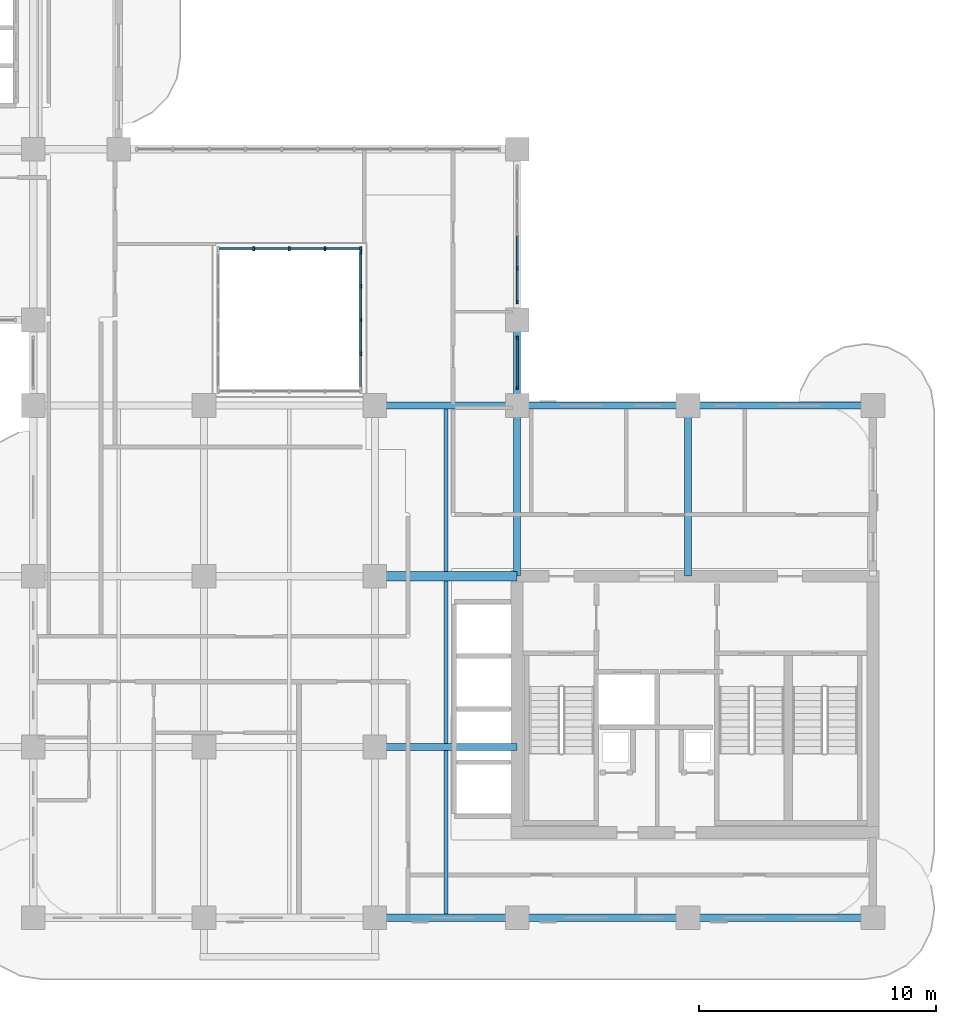
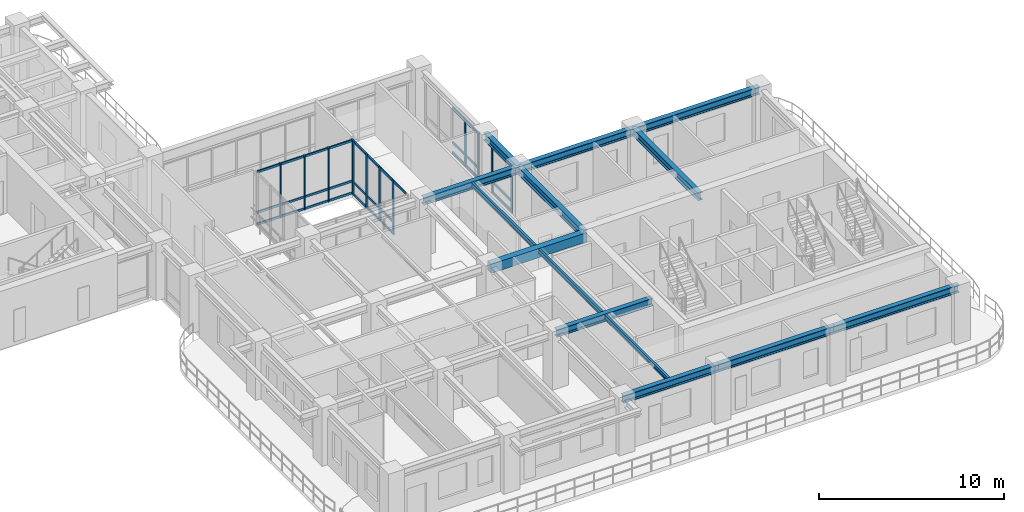
# One storey, part 3 of 20: 43 members, 14 beams, 4 elements without a shape of their own.
"""IFC4 building model written with IfcOpenShell, lengths in metres."""

from ifc_helpers import new_model, si_unit, derived_unit, direction, frame, origin, origin_2d, place, context, subcontext, project, spatial, rectangle, i_section, extrude, source, transform, mapped, material, layer, layer_set, material_profile, profile_set, type_object, type_shapes, element, aggregate, save


model = new_model("IFC4")

# Units and contexts
model_context = context("Model", 3, precision=1e-05, world=origin(), true_north=direction((0.0, 1.0)))
body_context = subcontext(model_context, "Body", "Model", "MODEL_VIEW")
ifc_project = project(units=[si_unit("LENGTHUNIT", "METRE"), si_unit("AREAUNIT", "SQUARE_METRE"), si_unit("VOLUMEUNIT", "CUBIC_METRE"), si_unit("PLANEANGLEUNIT", "RADIAN"), si_unit("MASSUNIT", "GRAM", prefix="KILO"), si_unit("THERMODYNAMICTEMPERATUREUNIT", "KELVIN"), si_unit("POWERUNIT", "WATT"), derived_unit("THERMALTRANSMITTANCEUNIT", [(si_unit("POWERUNIT", "WATT"), 1), (si_unit("AREAUNIT", "SQUARE_METRE"), -1), (si_unit("THERMODYNAMICTEMPERATUREUNIT", "KELVIN"), -1)])], contexts=[model_context])

# Site, building, storey
site_placement = place(None, origin())
site = spatial("IfcSite", under=ifc_project, at=site_placement, CompositionType="ELEMENT")
building_placement = place(site_placement, origin())
building = spatial("IfcBuilding", under=site, at=building_placement, Name="Zahravan Archway Hotel and Residences", CompositionType="ELEMENT")
storey_placement = place(building_placement, frame((0.0, 0.0, 154.14990234375)))
storey = spatial("IfcBuildingStorey", under=building, at=storey_placement, Name="L38", CompositionType="ELEMENT", Elevation=154.14990234375)

# Beams
ifc_material_1 = material(Name="Concrete C60/75", Category="concrete")
ifc_material_profile_1 = material_profile(ifc_material_1, rectangle(XDim=0.39990234375, YDim=0.60009765625, at=origin_2d()), Name="RC-LNT-400x600", Category="concrete")
ifc_profile_set_1 = profile_set([ifc_material_profile_1], Name="Concrete C60/75")
beam_type_1 = type_object("IfcBeamType", Name="LNT-RC-400x600", PredefinedType="LINTEL", material=ifc_profile_set_1)
shared_shape_1 = source(origin(), body_context, "Body", "SweptSolid", [
    extrude(rectangle(XDim=0.39990234375, YDim=0.60009765625, at=origin_2d()), origin(), (0.0, 0.0, 1.0), 6.0),
])
type_shapes(beam_type_1, [shared_shape_1])
beam_1_placement = place(storey_placement, frame((28.800048828125, 14.39990234375, 3.300048828125), z_axis=(1.0, 0.0, 0.0), x_axis=(0.0, 1.0, 0.0)))
element("IfcBeam", 1, at=beam_1_placement, inside=storey, type_object=beam_type_1, Name="L38 Core A Coupling Lintel Beam", PredefinedType="LINTEL", context=body_context, shape_type="MappedRepresentation", body=[
    mapped(shared_shape_1, transform((0.0, 0.0, 0.0), scale=1.0)),
])
ifc_material_2 = material(Name="Structural Steel S355JR", Category="steel")
ifc_material_profile_2 = material_profile(ifc_material_2, i_section(OverallWidth=0.300048828125, OverallDepth=0.5, WebThickness=0.014404296875, FlangeThickness=0.028076171875, FilletRadius=0.027099609375, at=origin_2d()), Name="HEB 500", Category="steel")
ifc_profile_set_2 = profile_set([ifc_material_profile_2], Name="Structural Steel S355JR")
beam_type_2 = type_object("IfcBeamType", Name="BM-PRI-HEB500", PredefinedType="BEAM", material=ifc_profile_set_2)
shared_shape_2 = source(origin(), body_context, "Body", "SweptSolid", [
    extrude(i_section(OverallWidth=0.300048828125, OverallDepth=0.5, WebThickness=0.014404296875, FlangeThickness=0.028076171875, FilletRadius=0.027099609375, at=origin_2d()), origin(), (0.0, 0.0, 1.0), 7.2001953125),
])
type_shapes(beam_type_2, [shared_shape_2])
for number, where, z_axis, x_axis, name in (
    (2, (34.800048828125, 14.39990234375, 3.35009765625), (0.0, 1.0, 0.0), (-1.0, 0.0, 0.0), "L38 Primary Girder NS-41"),
    (3, (42.0, 14.39990234375, 3.35009765625), (0.0, 1.0, 0.0), (-1.0, 0.0, 0.0), "L38 Primary Girder NS-44"),
):
    element("IfcBeam", number, at=place(storey_placement, frame(where, z_axis=z_axis, x_axis=x_axis)), inside=storey, type_object=beam_type_2, Name=name, PredefinedType="BEAM", context=body_context, shape_type="MappedRepresentation", body=[
        mapped(shared_shape_2, transform((0.0, 0.0, 0.0), scale=1.0)),
    ])
shared_shape_3 = source(origin(), body_context, "Body", "SweptSolid", [
    extrude(i_section(OverallWidth=0.300048828125, OverallDepth=0.5, WebThickness=0.014404296875, FlangeThickness=0.028076171875, FilletRadius=0.027099609375, at=origin_2d()), origin(), (0.0, 0.0, 1.0), 7.199951171875),
])
for number, where, z_axis, x_axis, name in (
    (4, (34.800048828125, 0.0, 3.35009765625), (1.0, 0.0, 0.0), (0.0, 1.0, 0.0), "L38 Primary Girder EW-04"),
    (5, (34.800048828125, 21.60009765625, 3.35009765625), (1.0, 0.0, 0.0), (0.0, 1.0, 0.0), "L38 Primary Girder EW-14"),
):
    element("IfcBeam", number, at=place(storey_placement, frame(where, z_axis=z_axis, x_axis=x_axis)), inside=storey, type_object=beam_type_2, Name=name, PredefinedType="BEAM", context=body_context, shape_type="MappedRepresentation", body=[
        mapped(shared_shape_3, transform((0.0, 0.0, 0.0), scale=1.0)),
    ])
shared_shape_4 = source(origin(), body_context, "Body", "SweptSolid", [
    extrude(i_section(OverallWidth=0.300048828125, OverallDepth=0.5, WebThickness=0.014404296875, FlangeThickness=0.028076171875, FilletRadius=0.027099609375, at=origin_2d()), origin(), (0.0, 0.0, 1.0), 6.0),
])
for number, where, z_axis, x_axis, name in (
    (6, (28.800048828125, 0.0, 3.35009765625), (1.0, 0.0, 0.0), (0.0, 1.0, 0.0), "L38 Primary Girder EW-03"),
    (7, (28.800048828125, 7.199951171875, 3.35009765625), (1.0, 0.0, 0.0), (0.0, 1.0, 0.0), "L38 Primary Girder EW-08"),
    (8, (28.800048828125, 21.60009765625, 3.35009765625), (1.0, 0.0, 0.0), (0.0, 1.0, 0.0), "L38 Primary Girder EW-13"),
):
    element("IfcBeam", number, at=place(storey_placement, frame(where, z_axis=z_axis, x_axis=x_axis)), inside=storey, type_object=beam_type_2, Name=name, PredefinedType="BEAM", context=body_context, shape_type="MappedRepresentation", body=[
        mapped(shared_shape_4, transform((0.0, 0.0, 0.0), scale=1.0)),
    ])
shared_shape_5 = source(origin(), body_context, "Body", "SweptSolid", [
    extrude(i_section(OverallWidth=0.300048828125, OverallDepth=0.5, WebThickness=0.014404296875, FlangeThickness=0.028076171875, FilletRadius=0.027099609375, at=origin_2d()), origin(), (0.0, 0.0, 1.0), 7.800048828125),
])
for number, where, z_axis, x_axis, name in (
    (9, (42.0, 0.0, 3.35009765625), (1.0, 0.0, 0.0), (0.0, 1.0, 0.0), "L38 Primary Girder EW-05"),
    (10, (42.0, 21.60009765625, 3.35009765625), (1.0, 0.0, 0.0), (0.0, 1.0, 0.0), "L38 Primary Girder EW-15"),
):
    element("IfcBeam", number, at=place(storey_placement, frame(where, z_axis=z_axis, x_axis=x_axis)), inside=storey, type_object=beam_type_2, Name=name, PredefinedType="BEAM", context=body_context, shape_type="MappedRepresentation", body=[
        mapped(shared_shape_5, transform((0.0, 0.0, 0.0), scale=1.0)),
    ])
shared_shape_6 = source(origin(), body_context, "Body", "SweptSolid", [
    extrude(i_section(OverallWidth=0.300048828125, OverallDepth=0.5, WebThickness=0.014404296875, FlangeThickness=0.028076171875, FilletRadius=0.027099609375, at=origin_2d()), origin(), (0.0, 0.0, 1.0), 3.599853515625),
])
beam_2_placement = place(storey_placement, frame((34.800048828125, 21.60009765625, 3.35009765625), z_axis=(0.0, 1.0, 0.0), x_axis=(-1.0, 0.0, 0.0)))
element("IfcBeam", 11, at=beam_2_placement, inside=storey, type_object=beam_type_2, Name="L38 Primary Girder NS-42", PredefinedType="BEAM", context=body_context, shape_type="MappedRepresentation", body=[
    mapped(shared_shape_6, transform((0.0, 0.0, 0.0), scale=1.0)),
])
ifc_material_profile_3 = material_profile(ifc_material_2, i_section(OverallWidth=0.14990234375, OverallDepth=0.300048828125, WebThickness=0.007080078125, FlangeThickness=0.0107421875, FilletRadius=0.014892578125, at=origin_2d()), Name="IPE 300", Category="steel")
ifc_profile_set_3 = profile_set([ifc_material_profile_3], Name="Structural Steel S355JR")
beam_type_3 = type_object("IfcBeamType", Name="BM-JST-IPE300", PredefinedType="JOIST", material=ifc_profile_set_3)
shared_shape_7 = source(origin(), body_context, "Body", "SweptSolid", [
    extrude(i_section(OverallWidth=0.14990234375, OverallDepth=0.300048828125, WebThickness=0.007080078125, FlangeThickness=0.0107421875, FilletRadius=0.014892578125, at=origin_2d()), origin(), (0.0, 0.0, 1.0), 6.904052734375),
])
type_shapes(beam_type_3, [shared_shape_7])
beam_3_placement = place(storey_placement, frame((31.800048828125, 0.14794921875, 3.4501953125), z_axis=(0.0, 1.0, 0.0), x_axis=(-1.0, 0.0, 0.0)))
element("IfcBeam", 12, at=beam_3_placement, inside=storey, type_object=beam_type_3, Name="L38 Composite Floor Joist 03", PredefinedType="JOIST", context=body_context, shape_type="MappedRepresentation", body=[
    mapped(shared_shape_7, transform((0.0, 0.0, 0.0), scale=1.0)),
])
shared_shape_8 = source(origin(), body_context, "Body", "SweptSolid", [
    extrude(i_section(OverallWidth=0.14990234375, OverallDepth=0.300048828125, WebThickness=0.007080078125, FlangeThickness=0.0107421875, FilletRadius=0.014892578125, at=origin_2d()), origin(), (0.0, 0.0, 1.0), 6.85400390625),
])
for number, where, z_axis, x_axis, name in (
    (13, (31.800048828125, 7.347900390625, 3.4501953125), (0.0, 1.0, 0.0), (-1.0, 0.0, 0.0), "L38 Composite Floor Joist 06"),
    (14, (31.800048828125, 14.597900390625, 3.4501953125), (0.0, 1.0, 0.0), (-1.0, 0.0, 0.0), "L38 Composite Floor Joist 07"),
):
    element("IfcBeam", number, at=place(storey_placement, frame(where, z_axis=z_axis, x_axis=x_axis)), inside=storey, type_object=beam_type_3, Name=name, PredefinedType="JOIST", context=body_context, shape_type="MappedRepresentation", body=[
        mapped(shared_shape_8, transform((0.0, 0.0, 0.0), scale=1.0)),
    ])

# Curtain wall, members
ifc_material_3 = material(Name="Bronze-Anodized Unitised Aluminium & Low-E Glass", Category="aluminium")
ifc_layer = layer(ifc_material_3, 0.179931640625, Name="Bronze-Anodized Unitised Aluminium & Low-E Glass", Category="aluminium")
ifc_layer_set = layer_set([ifc_layer], Name="Bronze-Anodized Unitised Aluminium & Low-E Glass")
curtain_wall_type = type_object("IfcCurtainWallType", Name="CW-ATR-GLAZ", PredefinedType="NOTDEFINED", material=ifc_layer_set)
curtain_wall_1_placement = place(storey_placement, origin())
curtain_wall_1 = element("IfcCurtainWall", 15, at=curtain_wall_1_placement, inside=storey, type_object=curtain_wall_type, Name="L38 Curtain Wall CW-L38-HNG-E-2", PredefinedType="NOTDEFINED")
ifc_material_4 = material(Name="Bronze-Anodized Extruded Aluminium", Category="aluminium")
ifc_material_profile_4 = material_profile(ifc_material_4, rectangle(XDim=0.080078125, YDim=0.139892578125, at=origin_2d()), Name="TRN 80x140", Category="aluminium")
ifc_profile_set_4 = profile_set([ifc_material_profile_4], Name="Bronze-Anodized Extruded Aluminium")
member_type_1 = type_object("IfcMemberType", Name="CWM-TRN-140", PredefinedType="USERDEFINED", material=ifc_profile_set_4)
shared_shape_9 = source(origin(), body_context, "Body", "SweptSolid", [
    extrude(rectangle(XDim=0.080078125, YDim=0.139892578125, at=origin_2d()), origin(), (0.0, 0.0, 1.0), 1.340087890625),
])
member_1_placement = place(storey_placement, frame((34.800048828125, 26.0, 0.070068359375), z_axis=(0.0, 1.0, 0.0), x_axis=(-1.0, 0.0, 0.0)))
member_1 = element("IfcMember", 16, at=member_1_placement, type_object=member_type_1, Name="CW-L38-HNG-E-2 Transom 0-1", ObjectType="TRANSOM", PredefinedType="USERDEFINED", context=body_context, shape_type="MappedRepresentation", body=[
    mapped(shared_shape_9, transform((0.0, 0.0, 0.0), scale=1.0)),
])
member_2_placement = place(storey_placement, frame((34.800048828125, 26.0, 0.740478515625), z_axis=(0.0, 1.0, 0.0), x_axis=(-1.0, 0.0, 0.0)))
member_2 = element("IfcMember", 17, at=member_2_placement, type_object=member_type_1, Name="CW-L38-HNG-E-2 Transom 0-2", ObjectType="TRANSOM", PredefinedType="USERDEFINED", context=body_context, shape_type="MappedRepresentation", body=[
    mapped(shared_shape_9, transform((0.0, 0.0, 0.0), scale=1.0)),
])
member_3_placement = place(storey_placement, frame((34.800048828125, 26.0, 3.01513671875), z_axis=(0.0, 1.0, 0.0), x_axis=(-1.0, 0.0, 0.0)))
member_3 = element("IfcMember", 18, at=member_3_placement, type_object=member_type_1, Name="CW-L38-HNG-E-2 Transom 0-3", ObjectType="TRANSOM", PredefinedType="USERDEFINED", context=body_context, shape_type="MappedRepresentation", body=[
    mapped(shared_shape_9, transform((0.0, 0.0, 0.0), scale=1.0)),
])
member_4_placement = place(storey_placement, frame((34.800048828125, 27.419921875, 0.070068359375), z_axis=(0.0, 1.0, 0.0), x_axis=(-1.0, 0.0, 0.0)))
member_4 = element("IfcMember", 19, at=member_4_placement, type_object=member_type_1, Name="CW-L38-HNG-E-2 Transom 1-1", ObjectType="TRANSOM", PredefinedType="USERDEFINED", context=body_context, shape_type="MappedRepresentation", body=[
    mapped(shared_shape_9, transform((0.0, 0.0, 0.0), scale=1.0)),
])
member_5_placement = place(storey_placement, frame((34.800048828125, 27.419921875, 0.740478515625), z_axis=(0.0, 1.0, 0.0), x_axis=(-1.0, 0.0, 0.0)))
member_5 = element("IfcMember", 20, at=member_5_placement, type_object=member_type_1, Name="CW-L38-HNG-E-2 Transom 1-2", ObjectType="TRANSOM", PredefinedType="USERDEFINED", context=body_context, shape_type="MappedRepresentation", body=[
    mapped(shared_shape_9, transform((0.0, 0.0, 0.0), scale=1.0)),
])
member_6_placement = place(storey_placement, frame((34.800048828125, 27.419921875, 3.01513671875), z_axis=(0.0, 1.0, 0.0), x_axis=(-1.0, 0.0, 0.0)))
member_6 = element("IfcMember", 21, at=member_6_placement, type_object=member_type_1, Name="CW-L38-HNG-E-2 Transom 1-3", ObjectType="TRANSOM", PredefinedType="USERDEFINED", context=body_context, shape_type="MappedRepresentation", body=[
    mapped(shared_shape_9, transform((0.0, 0.0, 0.0), scale=1.0)),
])

curtain_wall_2_placement = place(storey_placement, origin())
curtain_wall_2 = element("IfcCurtainWall", 22, at=curtain_wall_2_placement, inside=storey, type_object=curtain_wall_type, Name="L38 Curtain Wall CW-L38-HNG-E-1", PredefinedType="NOTDEFINED")
shared_shape_10 = source(origin(), body_context, "Body", "SweptSolid", [
    extrude(rectangle(XDim=0.080078125, YDim=0.139892578125, at=origin_2d()), origin(), (0.0, 0.0, 1.0), 2.0),
])
member_7_placement = place(storey_placement, frame((34.800048828125, 22.39990234375, 0.070068359375), z_axis=(0.0, 1.0, 0.0), x_axis=(-1.0, 0.0, 0.0)))
member_7 = element("IfcMember", 23, at=member_7_placement, type_object=member_type_1, Name="CW-L38-HNG-E-1 Transom 0-1", ObjectType="TRANSOM", PredefinedType="USERDEFINED", context=body_context, shape_type="MappedRepresentation", body=[
    mapped(shared_shape_10, transform((0.0, 0.0, 0.0), scale=1.0)),
])
member_8_placement = place(storey_placement, frame((34.800048828125, 22.39990234375, 0.740478515625), z_axis=(0.0, 1.0, 0.0), x_axis=(-1.0, 0.0, 0.0)))
member_8 = element("IfcMember", 24, at=member_8_placement, type_object=member_type_1, Name="CW-L38-HNG-E-1 Transom 0-2", ObjectType="TRANSOM", PredefinedType="USERDEFINED", context=body_context, shape_type="MappedRepresentation", body=[
    mapped(shared_shape_10, transform((0.0, 0.0, 0.0), scale=1.0)),
])
member_9_placement = place(storey_placement, frame((34.800048828125, 22.39990234375, 3.01513671875), z_axis=(0.0, 1.0, 0.0), x_axis=(-1.0, 0.0, 0.0)))
member_9 = element("IfcMember", 25, at=member_9_placement, type_object=member_type_1, Name="CW-L38-HNG-E-1 Transom 0-3", ObjectType="TRANSOM", PredefinedType="USERDEFINED", context=body_context, shape_type="MappedRepresentation", body=[
    mapped(shared_shape_10, transform((0.0, 0.0, 0.0), scale=1.0)),
])

curtain_wall_3_placement = place(storey_placement, origin())
curtain_wall_3 = element("IfcCurtainWall", 26, at=curtain_wall_3_placement, inside=storey, type_object=curtain_wall_type, Name="L38 Curtain Wall CW-ATR-L38-N-1", PredefinedType="NOTDEFINED")
shared_shape_11 = source(origin(), body_context, "Body", "SweptSolid", [
    extrude(rectangle(XDim=0.080078125, YDim=0.139892578125, at=origin_2d()), origin(), (0.0, 0.0, 1.0), 1.419921875),
])
member_10_placement = place(storey_placement, frame((22.239990234375, 28.199951171875, 0.070068359375), z_axis=(1.0, 0.0, 0.0), x_axis=(0.0, 1.0, 0.0)))
member_10 = element("IfcMember", 27, at=member_10_placement, type_object=member_type_1, Name="CW-ATR-L38-N-1 Transom 0-1", ObjectType="TRANSOM", PredefinedType="USERDEFINED", context=body_context, shape_type="MappedRepresentation", body=[
    mapped(shared_shape_11, transform((0.0, 0.0, 0.0), scale=1.0)),
])
member_11_placement = place(storey_placement, frame((22.239990234375, 28.199951171875, 0.85009765625), z_axis=(1.0, 0.0, 0.0), x_axis=(0.0, 1.0, 0.0)))
member_11 = element("IfcMember", 28, at=member_11_placement, type_object=member_type_1, Name="CW-ATR-L38-N-1 Transom 0-2", ObjectType="TRANSOM", PredefinedType="USERDEFINED", context=body_context, shape_type="MappedRepresentation", body=[
    mapped(shared_shape_11, transform((0.0, 0.0, 0.0), scale=1.0)),
])
member_12_placement = place(storey_placement, frame((22.239990234375, 28.199951171875, 3.530029296875), z_axis=(1.0, 0.0, 0.0), x_axis=(0.0, 1.0, 0.0)))
member_12 = element("IfcMember", 29, at=member_12_placement, type_object=member_type_1, Name="CW-ATR-L38-N-1 Transom 0-3", ObjectType="TRANSOM", PredefinedType="USERDEFINED", context=body_context, shape_type="MappedRepresentation", body=[
    mapped(shared_shape_11, transform((0.0, 0.0, 0.0), scale=1.0)),
])
member_13_placement = place(storey_placement, frame((23.739990234375, 28.199951171875, 0.070068359375), z_axis=(1.0, 0.0, 0.0), x_axis=(0.0, 1.0, 0.0)))
member_13 = element("IfcMember", 30, at=member_13_placement, type_object=member_type_1, Name="CW-ATR-L38-N-1 Transom 1-1", ObjectType="TRANSOM", PredefinedType="USERDEFINED", context=body_context, shape_type="MappedRepresentation", body=[
    mapped(shared_shape_11, transform((0.0, 0.0, 0.0), scale=1.0)),
])
member_14_placement = place(storey_placement, frame((23.739990234375, 28.199951171875, 0.85009765625), z_axis=(1.0, 0.0, 0.0), x_axis=(0.0, 1.0, 0.0)))
member_14 = element("IfcMember", 31, at=member_14_placement, type_object=member_type_1, Name="CW-ATR-L38-N-1 Transom 1-2", ObjectType="TRANSOM", PredefinedType="USERDEFINED", context=body_context, shape_type="MappedRepresentation", body=[
    mapped(shared_shape_11, transform((0.0, 0.0, 0.0), scale=1.0)),
])
member_15_placement = place(storey_placement, frame((23.739990234375, 28.199951171875, 3.530029296875), z_axis=(1.0, 0.0, 0.0), x_axis=(0.0, 1.0, 0.0)))
member_15 = element("IfcMember", 32, at=member_15_placement, type_object=member_type_1, Name="CW-ATR-L38-N-1 Transom 1-3", ObjectType="TRANSOM", PredefinedType="USERDEFINED", context=body_context, shape_type="MappedRepresentation", body=[
    mapped(shared_shape_11, transform((0.0, 0.0, 0.0), scale=1.0)),
])
member_16_placement = place(storey_placement, frame((25.239990234375, 28.199951171875, 0.070068359375), z_axis=(1.0, 0.0, 0.0), x_axis=(0.0, 1.0, 0.0)))
member_16 = element("IfcMember", 33, at=member_16_placement, type_object=member_type_1, Name="CW-ATR-L38-N-1 Transom 2-1", ObjectType="TRANSOM", PredefinedType="USERDEFINED", context=body_context, shape_type="MappedRepresentation", body=[
    mapped(shared_shape_11, transform((0.0, 0.0, 0.0), scale=1.0)),
])
member_17_placement = place(storey_placement, frame((25.239990234375, 28.199951171875, 0.85009765625), z_axis=(1.0, 0.0, 0.0), x_axis=(0.0, 1.0, 0.0)))
member_17 = element("IfcMember", 34, at=member_17_placement, type_object=member_type_1, Name="CW-ATR-L38-N-1 Transom 2-2", ObjectType="TRANSOM", PredefinedType="USERDEFINED", context=body_context, shape_type="MappedRepresentation", body=[
    mapped(shared_shape_11, transform((0.0, 0.0, 0.0), scale=1.0)),
])
member_18_placement = place(storey_placement, frame((25.239990234375, 28.199951171875, 3.530029296875), z_axis=(1.0, 0.0, 0.0), x_axis=(0.0, 1.0, 0.0)))
member_18 = element("IfcMember", 35, at=member_18_placement, type_object=member_type_1, Name="CW-ATR-L38-N-1 Transom 2-3", ObjectType="TRANSOM", PredefinedType="USERDEFINED", context=body_context, shape_type="MappedRepresentation", body=[
    mapped(shared_shape_11, transform((0.0, 0.0, 0.0), scale=1.0)),
])
member_19_placement = place(storey_placement, frame((26.739990234375, 28.199951171875, 0.070068359375), z_axis=(1.0, 0.0, 0.0), x_axis=(0.0, 1.0, 0.0)))
member_19 = element("IfcMember", 36, at=member_19_placement, type_object=member_type_1, Name="CW-ATR-L38-N-1 Transom 3-1", ObjectType="TRANSOM", PredefinedType="USERDEFINED", context=body_context, shape_type="MappedRepresentation", body=[
    mapped(shared_shape_11, transform((0.0, 0.0, 0.0), scale=1.0)),
])
member_20_placement = place(storey_placement, frame((26.739990234375, 28.199951171875, 0.85009765625), z_axis=(1.0, 0.0, 0.0), x_axis=(0.0, 1.0, 0.0)))
member_20 = element("IfcMember", 37, at=member_20_placement, type_object=member_type_1, Name="CW-ATR-L38-N-1 Transom 3-2", ObjectType="TRANSOM", PredefinedType="USERDEFINED", context=body_context, shape_type="MappedRepresentation", body=[
    mapped(shared_shape_11, transform((0.0, 0.0, 0.0), scale=1.0)),
])
member_21_placement = place(storey_placement, frame((26.739990234375, 28.199951171875, 3.530029296875), z_axis=(1.0, 0.0, 0.0), x_axis=(0.0, 1.0, 0.0)))
member_21 = element("IfcMember", 38, at=member_21_placement, type_object=member_type_1, Name="CW-ATR-L38-N-1 Transom 3-3", ObjectType="TRANSOM", PredefinedType="USERDEFINED", context=body_context, shape_type="MappedRepresentation", body=[
    mapped(shared_shape_11, transform((0.0, 0.0, 0.0), scale=1.0)),
])

curtain_wall_4_placement = place(storey_placement, origin())
curtain_wall_4 = element("IfcCurtainWall", 39, at=curtain_wall_4_placement, inside=storey, type_object=curtain_wall_type, Name="L38 Curtain Wall CW-ATR-L38-E-1", PredefinedType="NOTDEFINED")
shared_shape_12 = source(origin(), body_context, "Body", "SweptSolid", [
    extrude(rectangle(XDim=0.080078125, YDim=0.139892578125, at=origin_2d()), origin(), (0.0, 0.0, 1.0), 1.34521484375),
])
member_22_placement = place(storey_placement, frame((28.199951171875, 22.389892578125, 3.530029296875), z_axis=(0.0, 1.0, 0.0), x_axis=(-1.0, 0.0, 0.0)))
member_22 = element("IfcMember", 40, at=member_22_placement, type_object=member_type_1, Name="CW-ATR-L38-E-1 Transom 0-3", ObjectType="TRANSOM", PredefinedType="USERDEFINED", context=body_context, shape_type="MappedRepresentation", body=[
    mapped(shared_shape_12, transform((0.0, 0.0, 0.0), scale=1.0)),
])
shared_shape_13 = source(origin(), body_context, "Body", "SweptSolid", [
    extrude(rectangle(XDim=0.080078125, YDim=0.139892578125, at=origin_2d()), origin(), (0.0, 0.0, 1.0), 1.344970703125),
])
member_23_placement = place(storey_placement, frame((28.199951171875, 23.81494140625, 0.070068359375), z_axis=(0.0, 1.0, 0.0), x_axis=(-1.0, 0.0, 0.0)))
member_23 = element("IfcMember", 41, at=member_23_placement, type_object=member_type_1, Name="CW-ATR-L38-E-1 Transom 1-1", ObjectType="TRANSOM", PredefinedType="USERDEFINED", context=body_context, shape_type="MappedRepresentation", body=[
    mapped(shared_shape_13, transform((0.0, 0.0, 0.0), scale=1.0)),
])
member_24_placement = place(storey_placement, frame((28.199951171875, 23.81494140625, 0.85009765625), z_axis=(0.0, 1.0, 0.0), x_axis=(-1.0, 0.0, 0.0)))
member_24 = element("IfcMember", 42, at=member_24_placement, type_object=member_type_1, Name="CW-ATR-L38-E-1 Transom 1-2", ObjectType="TRANSOM", PredefinedType="USERDEFINED", context=body_context, shape_type="MappedRepresentation", body=[
    mapped(shared_shape_13, transform((0.0, 0.0, 0.0), scale=1.0)),
])
member_25_placement = place(storey_placement, frame((28.199951171875, 23.81494140625, 3.530029296875), z_axis=(0.0, 1.0, 0.0), x_axis=(-1.0, 0.0, 0.0)))
member_25 = element("IfcMember", 43, at=member_25_placement, type_object=member_type_1, Name="CW-ATR-L38-E-1 Transom 1-3", ObjectType="TRANSOM", PredefinedType="USERDEFINED", context=body_context, shape_type="MappedRepresentation", body=[
    mapped(shared_shape_13, transform((0.0, 0.0, 0.0), scale=1.0)),
])
member_26_placement = place(storey_placement, frame((28.199951171875, 25.239990234375, 0.070068359375), z_axis=(0.0, 1.0, 0.0), x_axis=(-1.0, 0.0, 0.0)))
member_26 = element("IfcMember", 44, at=member_26_placement, type_object=member_type_1, Name="CW-ATR-L38-E-1 Transom 2-1", ObjectType="TRANSOM", PredefinedType="USERDEFINED", context=body_context, shape_type="MappedRepresentation", body=[
    mapped(shared_shape_13, transform((0.0, 0.0, 0.0), scale=1.0)),
])
member_27_placement = place(storey_placement, frame((28.199951171875, 25.239990234375, 0.85009765625), z_axis=(0.0, 1.0, 0.0), x_axis=(-1.0, 0.0, 0.0)))
member_27 = element("IfcMember", 45, at=member_27_placement, type_object=member_type_1, Name="CW-ATR-L38-E-1 Transom 2-2", ObjectType="TRANSOM", PredefinedType="USERDEFINED", context=body_context, shape_type="MappedRepresentation", body=[
    mapped(shared_shape_13, transform((0.0, 0.0, 0.0), scale=1.0)),
])
member_28_placement = place(storey_placement, frame((28.199951171875, 25.239990234375, 3.530029296875), z_axis=(0.0, 1.0, 0.0), x_axis=(-1.0, 0.0, 0.0)))
member_28 = element("IfcMember", 46, at=member_28_placement, type_object=member_type_1, Name="CW-ATR-L38-E-1 Transom 2-3", ObjectType="TRANSOM", PredefinedType="USERDEFINED", context=body_context, shape_type="MappedRepresentation", body=[
    mapped(shared_shape_13, transform((0.0, 0.0, 0.0), scale=1.0)),
])
member_29_placement = place(storey_placement, frame((28.199951171875, 26.6650390625, 0.070068359375), z_axis=(0.0, 1.0, 0.0), x_axis=(-1.0, 0.0, 0.0)))
member_29 = element("IfcMember", 47, at=member_29_placement, type_object=member_type_1, Name="CW-ATR-L38-E-1 Transom 3-1", ObjectType="TRANSOM", PredefinedType="USERDEFINED", context=body_context, shape_type="MappedRepresentation", body=[
    mapped(shared_shape_13, transform((0.0, 0.0, 0.0), scale=1.0)),
])
member_30_placement = place(storey_placement, frame((28.199951171875, 26.6650390625, 0.85009765625), z_axis=(0.0, 1.0, 0.0), x_axis=(-1.0, 0.0, 0.0)))
member_30 = element("IfcMember", 48, at=member_30_placement, type_object=member_type_1, Name="CW-ATR-L38-E-1 Transom 3-2", ObjectType="TRANSOM", PredefinedType="USERDEFINED", context=body_context, shape_type="MappedRepresentation", body=[
    mapped(shared_shape_13, transform((0.0, 0.0, 0.0), scale=1.0)),
])
member_31_placement = place(storey_placement, frame((28.199951171875, 26.6650390625, 3.530029296875), z_axis=(0.0, 1.0, 0.0), x_axis=(-1.0, 0.0, 0.0)))
member_31 = element("IfcMember", 49, at=member_31_placement, type_object=member_type_1, Name="CW-ATR-L38-E-1 Transom 3-3", ObjectType="TRANSOM", PredefinedType="USERDEFINED", context=body_context, shape_type="MappedRepresentation", body=[
    mapped(shared_shape_13, transform((0.0, 0.0, 0.0), scale=1.0)),
])

# Member
ifc_material_profile_5 = material_profile(ifc_material_4, rectangle(XDim=0.080078125, YDim=0.159912109375, at=origin_2d()), Name="MUL 80x160", Category="aluminium")
ifc_profile_set_5 = profile_set([ifc_material_profile_5], Name="Bronze-Anodized Extruded Aluminium")
member_type_2 = type_object("IfcMemberType", Name="CWM-MUL-160", PredefinedType="MULLION", material=ifc_profile_set_5)
shared_shape_14 = source(origin(), body_context, "Body", "SweptSolid", [
    extrude(rectangle(XDim=0.080078125, YDim=0.159912109375, at=origin_2d()), origin(), (0.0, 0.0, 1.0), 3.085205078125),
])
member_32_placement = place(storey_placement, frame((34.800048828125, 22.360107421875, 0.0), z_axis=(0.0, 0.0, 1.0), x_axis=(1.0, 0.0, 0.0)))
member_32 = element("IfcMember", 50, at=member_32_placement, type_object=member_type_2, Name="CW-L38-HNG-E-1 Mullion 0", PredefinedType="MULLION", context=body_context, shape_type="MappedRepresentation", body=[
    mapped(shared_shape_14, transform((0.0, 0.0, 0.0), scale=1.0)),
])

member_33_placement = place(storey_placement, frame((34.800048828125, 24.43994140625, 0.0), z_axis=(0.0, 0.0, 1.0), x_axis=(1.0, 0.0, 0.0)))
member_33 = element("IfcMember", 51, at=member_33_placement, type_object=member_type_2, Name="CW-L38-HNG-E-1 Mullion 1", PredefinedType="MULLION", context=body_context, shape_type="MappedRepresentation", body=[
    mapped(shared_shape_14, transform((0.0, 0.0, 0.0), scale=1.0)),
])

aggregate(curtain_wall_2, [member_32, member_33, member_7, member_8, member_9])

member_34_placement = place(storey_placement, frame((34.800048828125, 25.9599609375, 0.0), z_axis=(0.0, 0.0, 1.0), x_axis=(1.0, 0.0, 0.0)))
member_34 = element("IfcMember", 52, at=member_34_placement, type_object=member_type_2, Name="CW-L38-HNG-E-2 Mullion 0", PredefinedType="MULLION", context=body_context, shape_type="MappedRepresentation", body=[
    mapped(shared_shape_14, transform((0.0, 0.0, 0.0), scale=1.0)),
])

member_35_placement = place(storey_placement, frame((34.800048828125, 27.3798828125, 0.0), z_axis=(0.0, 0.0, 1.0), x_axis=(1.0, 0.0, 0.0)))
member_35 = element("IfcMember", 53, at=member_35_placement, type_object=member_type_2, Name="CW-L38-HNG-E-2 Mullion 1", PredefinedType="MULLION", context=body_context, shape_type="MappedRepresentation", body=[
    mapped(shared_shape_14, transform((0.0, 0.0, 0.0), scale=1.0)),
])

aggregate(curtain_wall_1, [member_34, member_35, member_1, member_2, member_3, member_4, member_5, member_6])

shared_shape_15 = source(origin(), body_context, "Body", "SweptSolid", [
    extrude(rectangle(XDim=0.080078125, YDim=0.159912109375, at=origin_2d()), origin(), (0.0, 0.0, 1.0), 3.60009765625),
])
member_36_placement = place(storey_placement, frame((23.699951171875, 28.199951171875, 0.0), z_axis=(0.0, 0.0, 1.0), x_axis=(1.0, 0.0, 0.0)))
member_36 = element("IfcMember", 54, at=member_36_placement, type_object=member_type_2, Name="CW-ATR-L38-N-1 Mullion 1", PredefinedType="MULLION", context=body_context, shape_type="MappedRepresentation", body=[
    mapped(shared_shape_15, transform((0.0, 0.0, 0.0), scale=1.0)),
])

member_37_placement = place(storey_placement, frame((25.199951171875, 28.199951171875, 0.0), z_axis=(0.0, 0.0, 1.0), x_axis=(1.0, 0.0, 0.0)))
member_37 = element("IfcMember", 55, at=member_37_placement, type_object=member_type_2, Name="CW-ATR-L38-N-1 Mullion 2", PredefinedType="MULLION", context=body_context, shape_type="MappedRepresentation", body=[
    mapped(shared_shape_15, transform((0.0, 0.0, 0.0), scale=1.0)),
])

member_38_placement = place(storey_placement, frame((26.699951171875, 28.199951171875, 0.0), z_axis=(0.0, 0.0, 1.0), x_axis=(1.0, 0.0, 0.0)))
member_38 = element("IfcMember", 56, at=member_38_placement, type_object=member_type_2, Name="CW-ATR-L38-N-1 Mullion 3", PredefinedType="MULLION", context=body_context, shape_type="MappedRepresentation", body=[
    mapped(shared_shape_15, transform((0.0, 0.0, 0.0), scale=1.0)),
])

member_39_placement = place(storey_placement, frame((28.199951171875, 28.199951171875, 0.0), z_axis=(0.0, 0.0, 1.0), x_axis=(1.0, 0.0, 0.0)))
member_39 = element("IfcMember", 57, at=member_39_placement, type_object=member_type_2, Name="CW-ATR-L38-N-1 Mullion 4", PredefinedType="MULLION", context=body_context, shape_type="MappedRepresentation", body=[
    mapped(shared_shape_15, transform((0.0, 0.0, 0.0), scale=1.0)),
])

aggregate(curtain_wall_3, [member_36, member_37, member_38, member_39, member_10, member_11, member_12, member_13, member_14, member_15, member_16, member_17, member_18, member_19, member_20, member_21])

member_40_placement = place(storey_placement, frame((28.199951171875, 23.77490234375, 0.0), z_axis=(0.0, 0.0, 1.0), x_axis=(1.0, 0.0, 0.0)))
member_40 = element("IfcMember", 58, at=member_40_placement, type_object=member_type_2, Name="CW-ATR-L38-E-1 Mullion 1", PredefinedType="MULLION", context=body_context, shape_type="MappedRepresentation", body=[
    mapped(shared_shape_15, transform((0.0, 0.0, 0.0), scale=1.0)),
])

member_41_placement = place(storey_placement, frame((28.199951171875, 25.199951171875, 0.0), z_axis=(0.0, 0.0, 1.0), x_axis=(1.0, 0.0, 0.0)))
member_41 = element("IfcMember", 59, at=member_41_placement, type_object=member_type_2, Name="CW-ATR-L38-E-1 Mullion 2", PredefinedType="MULLION", context=body_context, shape_type="MappedRepresentation", body=[
    mapped(shared_shape_15, transform((0.0, 0.0, 0.0), scale=1.0)),
])

member_42_placement = place(storey_placement, frame((28.199951171875, 26.625, 0.0), z_axis=(0.0, 0.0, 1.0), x_axis=(1.0, 0.0, 0.0)))
member_42 = element("IfcMember", 60, at=member_42_placement, type_object=member_type_2, Name="CW-ATR-L38-E-1 Mullion 3", PredefinedType="MULLION", context=body_context, shape_type="MappedRepresentation", body=[
    mapped(shared_shape_15, transform((0.0, 0.0, 0.0), scale=1.0)),
])

member_43_placement = place(storey_placement, frame((28.199951171875, 28.050048828125, 0.0), z_axis=(0.0, 0.0, 1.0), x_axis=(1.0, 0.0, 0.0)))
member_43 = element("IfcMember", 61, at=member_43_placement, type_object=member_type_2, Name="CW-ATR-L38-E-1 Mullion 4", PredefinedType="MULLION", context=body_context, shape_type="MappedRepresentation", body=[
    mapped(shared_shape_15, transform((0.0, 0.0, 0.0), scale=1.0)),
])

aggregate(curtain_wall_4, [member_40, member_41, member_42, member_43, member_22, member_23, member_24, member_25, member_26, member_27, member_28, member_29, member_30, member_31])

save(model, "model.ifc")
